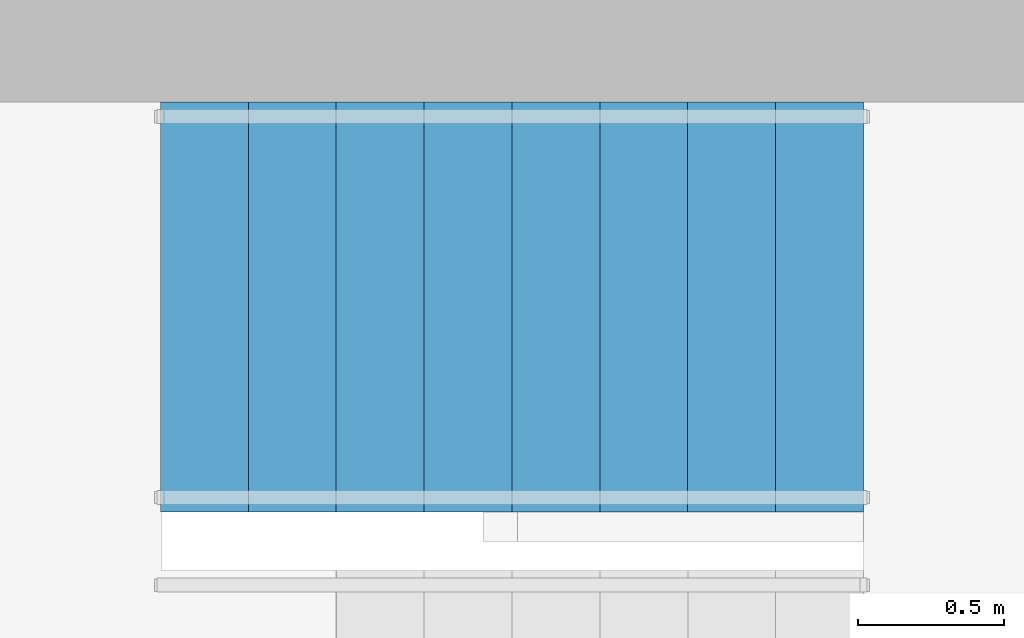
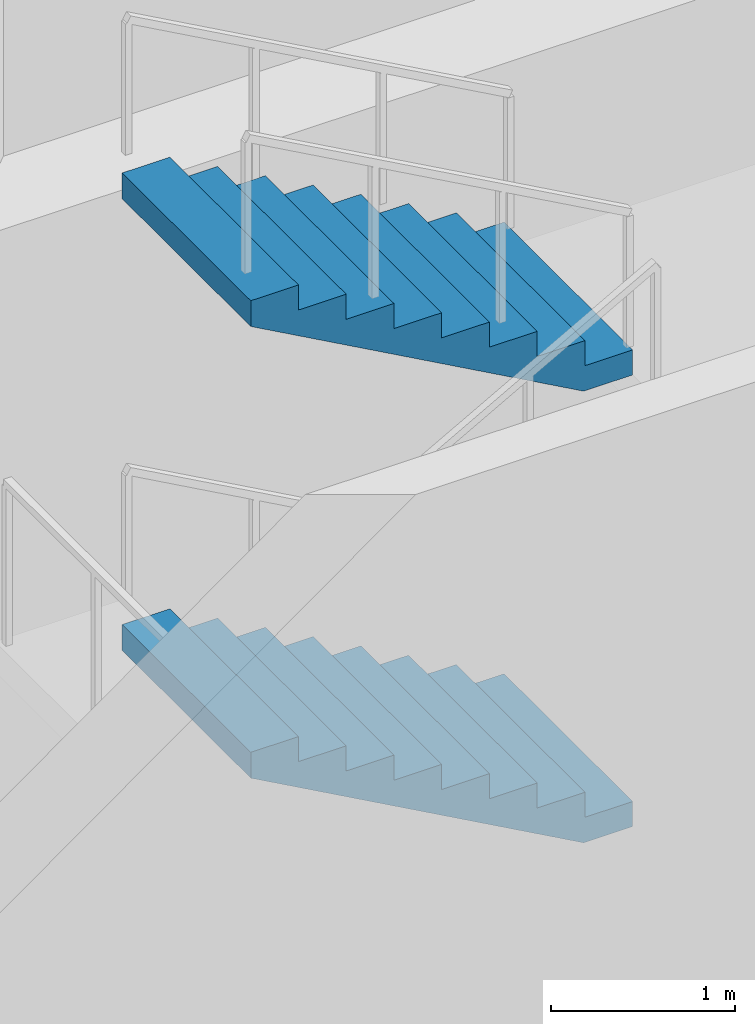
# One storey, part 3 of 5: 2 stair flights, 1 element without a shape of its own.
"""IFC4 building model written with IfcOpenShell, lengths in metres."""

import ifcopenshell
import ifcopenshell.guid

model = None  # the IFC model being written
_history = None  # IfcOwnerHistory: only IFC2X3 demands one
_inside = {}  # id of a spatial element -> (the spatial element, [elements in it])
_under = {}  # id of a project, library or spatial element -> (it, [spatial elements below it])
_declared = {}  # id of a project -> (the project, [libraries it declares])
_typed = {}  # id of a type object -> (the type object, [elements of that type])
_made_of = {}  # id of a material, layer set ... -> (it, [elements and type objects made of it])


def new_model(schema):
    """Start an empty IFC model of exactly this schema.

    Asked for "IFC4X3", IfcOpenShell would pick the latest addendum, in which some entities
    have other attributes; the version numbers below select the first issue.
    IFC2X3 requires an IfcOwnerHistory on every rooted entity: one is made here for all.
    """
    global model, _history
    if schema == "IFC4X3":
        model = ifcopenshell.file(schema_version=(4, 3, 0, 0))
    else:
        model = ifcopenshell.file(schema=schema)
    _inside.clear()
    _under.clear()
    _declared.clear()
    _typed.clear()
    _made_of.clear()
    _history = None
    if model.schema == "IFC2X3":
        org = make("IfcOrganization", Name="unknown")
        user = make(
            "IfcPersonAndOrganization",
            ThePerson=make("IfcPerson", FamilyName="unknown"),
            TheOrganization=org,
        )
        app = make(
            "IfcApplication",
            ApplicationDeveloper=org,
            Version="unknown",
            ApplicationFullName="unknown",
            ApplicationIdentifier="unknown",
        )
        _history = make(
            "IfcOwnerHistory",
            OwningUser=user,
            OwningApplication=app,
            ChangeAction="ADDED",
            CreationDate=0,
        )
    return model


def make(cls, **values):
    """One entity of the class cls with the attributes given. An attribute that is None is left unset."""
    return model.create_entity(
        cls, **{name: value for name, value in values.items() if value is not None}
    )


def rooted(cls, **values):
    """An entity with a GlobalId (a new one), such as an element, a storey or a relation."""
    return make(cls, GlobalId=ifcopenshell.guid.new(), OwnerHistory=_history, **values)


def si_unit(unit_type, name, prefix=None):
    """IfcSIUnit, for example si_unit("LENGTHUNIT", "METRE", prefix="MILLI")."""
    return make("IfcSIUnit", UnitType=unit_type, Prefix=prefix, Name=name)


def assignment(units):
    """IfcUnitAssignment: the units of a project."""
    return None if units is None else make("IfcUnitAssignment", Units=units)


def point(xyz):
    """IfcCartesianPoint."""
    return None if xyz is None else make("IfcCartesianPoint", Coordinates=xyz)


def direction(xyz):
    """IfcDirection."""
    return None if xyz is None else make("IfcDirection", DirectionRatios=xyz)


def frame(location, z_axis=None, x_axis=None):
    """IfcAxis2Placement3D, a coordinate frame: its origin and axes. An axis left out is left unset."""
    return make(
        "IfcAxis2Placement3D",
        Location=point(location),
        Axis=direction(z_axis),
        RefDirection=direction(x_axis),
    )


def origin():
    """The frame at (0, 0, 0) with its axes left unset."""
    return frame((0.0, 0.0, 0.0))


def place(relative_to, where):
    """IfcLocalPlacement: puts the frame where relative to a parent placement (None: the world)."""
    return make(
        "IfcLocalPlacement", PlacementRelTo=relative_to, RelativePlacement=where
    )


def context(
    kind, dimensions, precision=None, world=None, true_north=None, identifier=None
):
    """IfcGeometricRepresentationContext, for example the 3D "Model" context."""
    return make(
        "IfcGeometricRepresentationContext",
        ContextIdentifier=identifier,
        ContextType=kind,
        CoordinateSpaceDimension=dimensions,
        Precision=precision,
        WorldCoordinateSystem=world,
        TrueNorth=true_north,
    )


def subcontext(parent, identifier, kind, view, scale=None):
    """IfcGeometricRepresentationSubContext, for example "Body" below "Model"."""
    return make(
        "IfcGeometricRepresentationSubContext",
        ContextIdentifier=identifier,
        ContextType=kind,
        ParentContext=parent,
        TargetScale=scale,
        TargetView=view,
    )


def project(units=None, contexts=None):
    """IfcProject with its units and contexts."""
    return rooted(
        "IfcProject",
        Name="project",
        RepresentationContexts=contexts,
        UnitsInContext=assignment(units),
    )


def spatial(cls, under=None, at=None, **own):
    """A site, building, storey or space (cls), placed at a placement, below another one or the project."""
    s = rooted(cls, ObjectPlacement=at, **own)
    if under is not None:
        _under.setdefault(under.id(), (under, []))[1].append(s)
    return s


def polyline(points):
    """IfcPolyline through the points."""
    return make("IfcPolyline", Points=[point(p) for p in points])


def outline(outer, holes=None, kind="AREA"):
    """IfcArbitraryClosedProfileDef: a profile drawn as a closed curve; with holes, ...WithVoids."""
    if holes is None:
        return make("IfcArbitraryClosedProfileDef", ProfileType=kind, OuterCurve=outer)
    return make(
        "IfcArbitraryProfileDefWithVoids",
        ProfileType=kind,
        OuterCurve=outer,
        InnerCurves=holes,
    )


def extrude(swept, where, along, depth):
    """IfcExtrudedAreaSolid: the profile swept, set in the frame where, extruded along a direction by depth."""
    return make(
        "IfcExtrudedAreaSolid",
        SweptArea=swept,
        Position=where,
        ExtrudedDirection=direction(along),
        Depth=depth,
    )


def shape(context_of_items, identifier, shape_type, items):
    """IfcShapeRepresentation: the items that make up one representation, for example the "Body"."""
    return make(
        "IfcShapeRepresentation",
        ContextOfItems=context_of_items,
        RepresentationIdentifier=identifier,
        RepresentationType=shape_type,
        Items=items,
    )


def material(Name=None, Category=None):
    """IfcMaterial."""
    return make("IfcMaterial", Name=Name, Category=Category)


def made_of(thing, what):
    """Note that an element or type object is made of a material, layer set ...; save() writes the relation."""
    if what is not None:
        _made_of.setdefault(what.id(), (what, []))[1].append(thing)
    return thing


def type_object(cls, material=None, **own):
    """A type object (cls), such as IfcWallType, which elements share."""
    return made_of(rooted(cls, **own), material)


def element(
    cls,
    number,
    at=None,
    inside=None,
    cuts=None,
    type_object=None,
    material=None,
    context=None,
    identifier="Body",
    shape_type=None,
    held_by="IfcProductDefinitionShape",
    body=None,
    shapes=None,
    **own,
):
    """One element of the class cls, such as IfcWall. Its Tag is "e" and its number.

    at: its placement. inside: the storey or other place that contains it. cuts: it is an
    opening in that element (IfcRelVoidsElement). A single representation is given by context,
    identifier, shape_type and body (its items); several are given by shapes. held_by: the class
    of the entity that holds the representations. save() writes the other relations.
    """
    e = rooted(cls, Tag="e%d" % number, ObjectPlacement=at, **own)
    if body is not None:
        shapes = [shape(context, identifier, shape_type, body)]
    if shapes is not None:
        e.Representation = make(held_by, Representations=shapes)
    if inside is not None:
        _inside.setdefault(inside.id(), (inside, []))[1].append(e)
    if cuts is not None:
        rooted(
            "IfcRelVoidsElement", RelatingBuildingElement=cuts, RelatedOpeningElement=e
        )
    if type_object is not None:
        _typed.setdefault(type_object.id(), (type_object, []))[1].append(e)
    return made_of(e, material)


def aggregate(whole, parts):
    """IfcRelAggregates: a whole, such as a stair, and the parts it consists of."""
    return rooted("IfcRelAggregates", RelatingObject=whole, RelatedObjects=parts)


def save(model, path):
    """Write the relations noted so far, then the file.

    IfcRelAggregates (storeys below a building ...), IfcRelContainedInSpatialStructure (elements
    in a storey), IfcRelDefinesByType, IfcRelAssociatesMaterial and IfcRelDeclares: one each for
    every whole, place, type object, material and project.
    """
    for whole, parts in _under.values():
        aggregate(whole, parts)
    for where, things in _inside.values():
        rooted(
            "IfcRelContainedInSpatialStructure",
            RelatedElements=things,
            RelatingStructure=where,
        )
    for kind, things in _typed.values():
        rooted("IfcRelDefinesByType", RelatedObjects=things, RelatingType=kind)
    for what, things in _made_of.values():
        rooted("IfcRelAssociatesMaterial", RelatedObjects=things, RelatingMaterial=what)
    for by, libraries in _declared.values():
        rooted("IfcRelDeclares", RelatingContext=by, RelatedDefinitions=libraries)
    model.write(path)


model = new_model("IFC4")

# Units and contexts
model_context = context("Model", 3, precision=1e-05, world=origin(), true_north=direction((0.0, 1.0)))
body_context = subcontext(model_context, "Body", "Model", "MODEL_VIEW")
ifc_project = project(units=[si_unit("LENGTHUNIT", "METRE"), si_unit("AREAUNIT", "SQUARE_METRE"), si_unit("VOLUMEUNIT", "CUBIC_METRE"), si_unit("PLANEANGLEUNIT", "RADIAN"), si_unit("MASSUNIT", "GRAM", prefix="KILO")], contexts=[model_context])

# Site, building, storey
site_placement = place(None, origin())
site = spatial("IfcSite", under=ifc_project, at=site_placement, CompositionType="ELEMENT")
building_placement = place(site_placement, origin())
building = spatial("IfcBuilding", under=site, at=building_placement, Name="Torre Triforio", CompositionType="ELEMENT")
storey_placement = place(building_placement, frame((0.0, 0.0, 296.800048828125)))
storey = spatial("IfcBuildingStorey", under=building, at=storey_placement, Name="RF-2", CompositionType="ELEMENT", Elevation=296.800048828125)

# Stair, stair flights
ifc_material = material(Name="Concrete C40", Category="concrete")
stair_type = type_object("IfcStairType", Name="STAIR DOUBLE RETURN", PredefinedType="DOUBLE_RETURN_STAIR", material=ifc_material)
stair_placement = place(storey_placement, origin())
stair = element("IfcStair", 1, at=stair_placement, inside=storey, type_object=stair_type, Name="Exit stair 1", PredefinedType="DOUBLE_RETURN_STAIR")
stair_flight_type = type_object("IfcStairFlightType", Name="STAIR FLIGHT 1400", PredefinedType="STRAIGHT", material=ifc_material)
stair_flight_1_placement = place(storey_placement, frame((-4.300048828125, 6.800048828125, 1.5), z_axis=(0.0, 0.0, 1.0), x_axis=(-1.0, 0.0, 0.0)))
stair_flight_1 = element("IfcStairFlight", 2, at=stair_flight_1_placement, type_object=stair_flight_type, Name="ST1 flight 2", NumberOfRisers=9, NumberOfTreads=8, PredefinedType="STRAIGHT", RiserHeight=0.166666667, TreadLength=0.3, context=body_context, shape_type="SweptSolid", body=[
    extrude(outline(polyline([(0.0, 0.0), (0.0, 0.166748046875), (0.300048828125, 0.166748046875), (0.300048828125, 0.333251953125), (0.60009765625, 0.333251953125), (0.60009765625, 0.5), (0.89990234375, 0.5), (0.89990234375, 0.666748046875), (1.199951171875, 0.666748046875), (1.199951171875, 0.833251953125), (1.5, 0.833251953125), (1.5, 1.0), (1.800048828125, 1.0), (1.800048828125, 1.166748046875), (2.10009765625, 1.166748046875), (2.10009765625, 1.333251953125), (2.39990234375, 1.333251953125), (2.39990234375, 1.5), (2.39990234375, 1.161865234375), (0.30859375, 0.0), (0.0, 0.0)])), frame((0.0, 0.699951171875, 0.0), z_axis=(0.0, -1.0, 0.0), x_axis=(1.0, 0.0, 0.0)), (0.0, 0.0, 1.0), 1.39990234375),
])
stair_flight_2_placement = place(storey_placement, frame((-4.300048828125, 6.800048828125, 4.5), z_axis=(0.0, 0.0, 1.0), x_axis=(-1.0, 0.0, 0.0)))
stair_flight_2 = element("IfcStairFlight", 3, at=stair_flight_2_placement, type_object=stair_flight_type, Name="ST1 flight 4", NumberOfRisers=9, NumberOfTreads=8, PredefinedType="STRAIGHT", RiserHeight=0.166666667, TreadLength=0.3, context=body_context, shape_type="SweptSolid", body=[
    extrude(outline(polyline([(0.0, 0.0), (0.0, 0.166748046875), (0.300048828125, 0.166748046875), (0.300048828125, 0.333251953125), (0.60009765625, 0.333251953125), (0.60009765625, 0.5), (0.89990234375, 0.5), (0.89990234375, 0.666748046875), (1.199951171875, 0.666748046875), (1.199951171875, 0.833251953125), (1.5, 0.833251953125), (1.5, 1.0), (1.800048828125, 1.0), (1.800048828125, 1.166748046875), (2.10009765625, 1.166748046875), (2.10009765625, 1.333251953125), (2.39990234375, 1.333251953125), (2.39990234375, 1.5), (2.39990234375, 1.161865234375), (0.30859375, 0.0), (0.0, 0.0)])), frame((0.0, 0.699951171875, 0.0), z_axis=(0.0, -1.0, 0.0), x_axis=(1.0, 0.0, 0.0)), (0.0, 0.0, 1.0), 1.39990234375),
])
aggregate(stair, [stair_flight_1, stair_flight_2])

save(model, "model.ifc")
